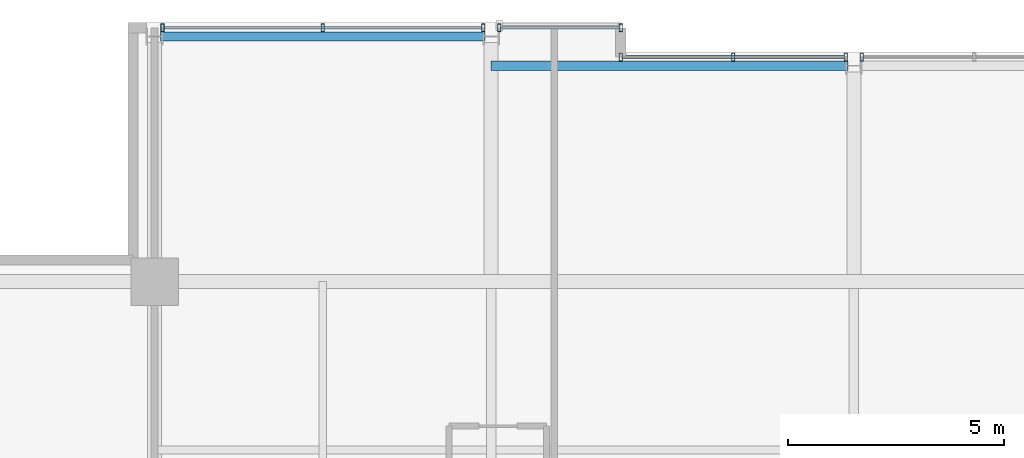
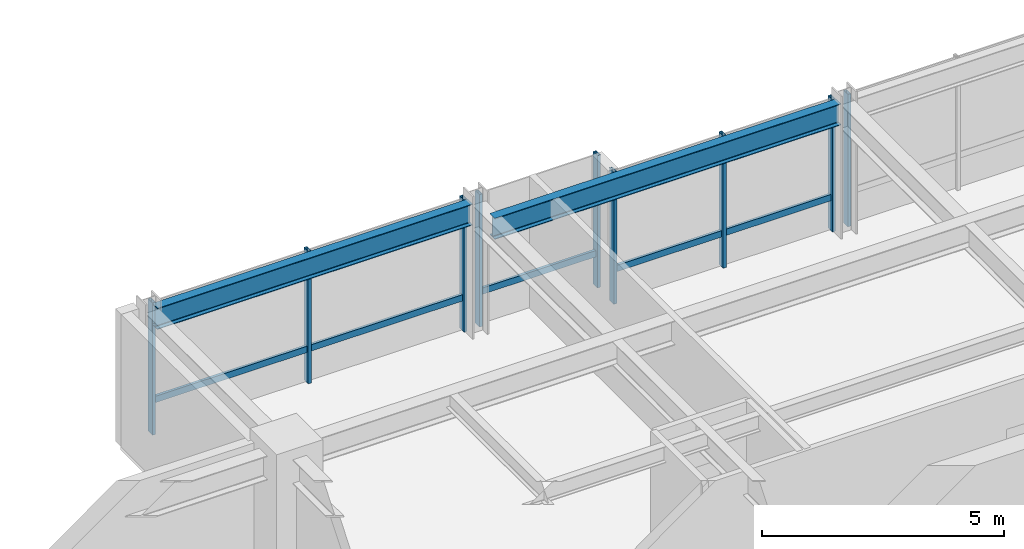
# One storey, part 20 of 31: 12 members, 2 beams, 4 elements without a shape of their own.
"""IFC4 building model written with IfcOpenShell, lengths in metres."""

from ifc_helpers import new_model, si_unit, direction, frame, origin, origin_2d, place, context, subcontext, project, spatial, hollow_rectangle, i_section, extrude, material, layer, layer_set, material_profile, profile_set, type_object, element, aggregate, save


model = new_model("IFC4")

# Units and contexts
model_context = context("Model", 3, precision=1e-05, world=origin(), true_north=direction((0.0, 1.0)))
body_context = subcontext(model_context, "Body", "Model", "MODEL_VIEW")
ifc_project = project(units=[si_unit("LENGTHUNIT", "METRE"), si_unit("AREAUNIT", "SQUARE_METRE"), si_unit("VOLUMEUNIT", "CUBIC_METRE"), si_unit("PLANEANGLEUNIT", "RADIAN"), si_unit("MASSUNIT", "GRAM", prefix="KILO")], contexts=[model_context])

# Site, building, storey
site_placement = place(None, origin())
site = spatial("IfcSite", under=ifc_project, at=site_placement, CompositionType="ELEMENT")
building_placement = place(site_placement, origin())
building = spatial("IfcBuilding", under=site, at=building_placement, Name="Drelvath Grand Hotel", CompositionType="ELEMENT")
storey_placement = place(building_placement, frame((0.0, 0.0, 230.300048828125)))
storey = spatial("IfcBuildingStorey", under=building, at=storey_placement, Name="L60", CompositionType="ELEMENT", Elevation=230.300048828125)

# Curtain wall, member
ifc_material_1 = material(Name="Platinum-Mist Anodised Aluminium Frame", Category="aluminium")
ifc_layer = layer(ifc_material_1, 0.199951171875)
ifc_layer_set = layer_set([ifc_layer], Name="Platinum-Mist Anodised Aluminium Frame")
curtain_wall_type = type_object("IfcCurtainWallType", Name="Stick Curtain Wall CW-05 Platinum Mist High-Rise", PredefinedType="NOTDEFINED", material=ifc_layer_set)
curtain_wall_1_placement = place(storey_placement, origin())
curtain_wall_1 = element("IfcCurtainWall", 1, at=curtain_wall_1_placement, inside=storey, type_object=curtain_wall_type, Name="L60 CW-05 Curtain Wall CW05-L60-NW2", PredefinedType="NOTDEFINED")
ifc_material_profile_1 = material_profile(ifc_material_1, hollow_rectangle(XDim=0.06494140625, YDim=0.159912109375, WallThickness=0.00390625, at=origin_2d()), Name="HSS160X65X4")
ifc_profile_set_1 = profile_set([ifc_material_profile_1], Name="Platinum-Mist Anodised Aluminium Frame")
member_type_1 = type_object("IfcMemberType", Name="Curtain Wall Horizontal Transom CW-05 HSS160X65X4", PredefinedType="USERDEFINED", material=ifc_profile_set_1)
member_1_placement = place(storey_placement, frame((-15.974609375, 49.080078125, 0.8349609375), z_axis=(1.0, 0.0, 0.0), x_axis=(0.0, 1.0, 0.0)))
member_1 = element("IfcMember", 2, at=member_1_placement, type_object=member_type_1, Name="CW05-L60-NW2 Sill Transom", ObjectType="TRANSOM", PredefinedType="USERDEFINED", context=body_context, shape_type="SweptSolid", body=[
    extrude(hollow_rectangle(XDim=0.06494140625, YDim=0.159912109375, WallThickness=0.00390625, at=origin_2d()), origin(), (0.0, 0.0, 1.0), 7.349365234375),
])

curtain_wall_2_placement = place(storey_placement, origin())
curtain_wall_2 = element("IfcCurtainWall", 3, at=curtain_wall_2_placement, inside=storey, type_object=curtain_wall_type, Name="L60 CW-05 Curtain Wall CW05-L60-NW3", PredefinedType="NOTDEFINED")
member_2_placement = place(storey_placement, frame((-8.1748046875, 49.080078125, 0.8349609375), z_axis=(1.0, 0.0, 0.0), x_axis=(0.0, 1.0, 0.0)))
member_2 = element("IfcMember", 4, at=member_2_placement, type_object=member_type_1, Name="CW05-L60-NW3 Sill Transom", ObjectType="TRANSOM", PredefinedType="USERDEFINED", context=body_context, shape_type="SweptSolid", body=[
    extrude(hollow_rectangle(XDim=0.06494140625, YDim=0.159912109375, WallThickness=0.00390625, at=origin_2d()), origin(), (0.0, 0.0, 1.0), 2.73486328125),
])

curtain_wall_3_placement = place(storey_placement, origin())
curtain_wall_3 = element("IfcCurtainWall", 5, at=curtain_wall_3_placement, inside=storey, type_object=curtain_wall_type, Name="L60 CW-05 Curtain Wall CW05-L60-NM1", PredefinedType="NOTDEFINED")
member_3_placement = place(storey_placement, frame((-5.360107421875, 48.39990234375, 0.8349609375), z_axis=(1.0, 0.0, 0.0), x_axis=(0.0, 1.0, 0.0)))
member_3 = element("IfcMember", 6, at=member_3_placement, type_object=member_type_1, Name="CW05-L60-NM1 Sill Transom", ObjectType="TRANSOM", PredefinedType="USERDEFINED", context=body_context, shape_type="SweptSolid", body=[
    extrude(hollow_rectangle(XDim=0.06494140625, YDim=0.159912109375, WallThickness=0.00390625, at=origin_2d()), origin(), (0.0, 0.0, 1.0), 5.134765625),
])

# Member
ifc_material_profile_2 = material_profile(ifc_material_1, hollow_rectangle(XDim=0.074951171875, YDim=0.179931640625, WallThickness=0.0048828125, at=origin_2d()), Name="HSS180X75X5")
ifc_profile_set_2 = profile_set([ifc_material_profile_2], Name="Platinum-Mist Anodised Aluminium Frame")
member_type_2 = type_object("IfcMemberType", Name="Curtain Wall Vertical Mullion CW-05 HSS180X75X5", PredefinedType="MULLION", material=ifc_profile_set_2)
member_4_placement = place(storey_placement, frame((-16.0146484375, 49.080078125, 0.0), z_axis=(0.0, 0.0, 1.0), x_axis=(1.0, 0.0, 0.0)))
member_4 = element("IfcMember", 7, at=member_4_placement, type_object=member_type_2, Name="CW05-L60-NW2 Mullion 1", PredefinedType="MULLION", context=body_context, shape_type="SweptSolid", body=[
    extrude(hollow_rectangle(XDim=0.074951171875, YDim=0.179931640625, WallThickness=0.0048828125, at=origin_2d()), origin(), (0.0, 0.0, 1.0), 3.33984375),
])

member_5_placement = place(storey_placement, frame((-12.300048828125, 49.080078125, 0.0), z_axis=(0.0, 0.0, 1.0), x_axis=(1.0, 0.0, 0.0)))
member_5 = element("IfcMember", 8, at=member_5_placement, type_object=member_type_2, Name="CW05-L60-NW2 Mullion 2", PredefinedType="MULLION", context=body_context, shape_type="SweptSolid", body=[
    extrude(hollow_rectangle(XDim=0.074951171875, YDim=0.179931640625, WallThickness=0.0048828125, at=origin_2d()), origin(), (0.0, 0.0, 1.0), 3.33984375),
])

member_6_placement = place(storey_placement, frame((-8.585205078125, 49.080078125, 0.0), z_axis=(0.0, 0.0, 1.0), x_axis=(1.0, 0.0, 0.0)))
member_6 = element("IfcMember", 9, at=member_6_placement, type_object=member_type_2, Name="CW05-L60-NW2 Mullion 3", PredefinedType="MULLION", context=body_context, shape_type="SweptSolid", body=[
    extrude(hollow_rectangle(XDim=0.074951171875, YDim=0.179931640625, WallThickness=0.0048828125, at=origin_2d()), origin(), (0.0, 0.0, 1.0), 3.33984375),
])

aggregate(curtain_wall_1, [member_4, member_5, member_6, member_1])

member_7_placement = place(storey_placement, frame((-8.214599609375, 49.080078125, 0.0), z_axis=(0.0, 0.0, 1.0), x_axis=(1.0, 0.0, 0.0)))
member_7 = element("IfcMember", 10, at=member_7_placement, type_object=member_type_2, Name="CW05-L60-NW3 Mullion 1", PredefinedType="MULLION", context=body_context, shape_type="SweptSolid", body=[
    extrude(hollow_rectangle(XDim=0.074951171875, YDim=0.179931640625, WallThickness=0.0048828125, at=origin_2d()), origin(), (0.0, 0.0, 1.0), 3.33984375),
])

member_8_placement = place(storey_placement, frame((-5.39990234375, 49.080078125, 0.0), z_axis=(0.0, 0.0, 1.0), x_axis=(1.0, 0.0, 0.0)))
member_8 = element("IfcMember", 11, at=member_8_placement, type_object=member_type_2, Name="CW05-L60-NW3 Mullion 2", PredefinedType="MULLION", context=body_context, shape_type="SweptSolid", body=[
    extrude(hollow_rectangle(XDim=0.074951171875, YDim=0.179931640625, WallThickness=0.0048828125, at=origin_2d()), origin(), (0.0, 0.0, 1.0), 3.33984375),
])

aggregate(curtain_wall_2, [member_7, member_8, member_2])

member_9_placement = place(storey_placement, frame((-5.39990234375, 48.39990234375, 0.0), z_axis=(0.0, 0.0, 1.0), x_axis=(1.0, 0.0, 0.0)))
member_9 = element("IfcMember", 12, at=member_9_placement, type_object=member_type_2, Name="CW05-L60-NM1 Mullion 1", PredefinedType="MULLION", context=body_context, shape_type="SweptSolid", body=[
    extrude(hollow_rectangle(XDim=0.074951171875, YDim=0.179931640625, WallThickness=0.0048828125, at=origin_2d()), origin(), (0.0, 0.0, 1.0), 3.33984375),
])

member_10_placement = place(storey_placement, frame((-2.792724609375, 48.39990234375, 0.0), z_axis=(0.0, 0.0, 1.0), x_axis=(1.0, 0.0, 0.0)))
member_10 = element("IfcMember", 13, at=member_10_placement, type_object=member_type_2, Name="CW05-L60-NM1 Mullion 2", PredefinedType="MULLION", context=body_context, shape_type="SweptSolid", body=[
    extrude(hollow_rectangle(XDim=0.074951171875, YDim=0.179931640625, WallThickness=0.0048828125, at=origin_2d()), origin(), (0.0, 0.0, 1.0), 3.33984375),
])

member_11_placement = place(storey_placement, frame((-0.185302734375, 48.39990234375, 0.0), z_axis=(0.0, 0.0, 1.0), x_axis=(1.0, 0.0, 0.0)))
member_11 = element("IfcMember", 14, at=member_11_placement, type_object=member_type_2, Name="CW05-L60-NM1 Mullion 3", PredefinedType="MULLION", context=body_context, shape_type="SweptSolid", body=[
    extrude(hollow_rectangle(XDim=0.074951171875, YDim=0.179931640625, WallThickness=0.0048828125, at=origin_2d()), origin(), (0.0, 0.0, 1.0), 3.33984375),
])

aggregate(curtain_wall_3, [member_9, member_10, member_11, member_3])

# Curtain wall, member
curtain_wall_4_placement = place(storey_placement, origin())
curtain_wall_4 = element("IfcCurtainWall", 15, at=curtain_wall_4_placement, inside=storey, type_object=curtain_wall_type, Name="L60 CW-05 Curtain Wall CW05-L60-NM2", PredefinedType="NOTDEFINED")
member_12_placement = place(storey_placement, frame((0.185302734375, 48.39990234375, 0.0), z_axis=(0.0, 0.0, 1.0), x_axis=(1.0, 0.0, 0.0)))
member_12 = element("IfcMember", 16, at=member_12_placement, type_object=member_type_2, Name="CW05-L60-NM2 Mullion 1", PredefinedType="MULLION", context=body_context, shape_type="SweptSolid", body=[
    extrude(hollow_rectangle(XDim=0.074951171875, YDim=0.179931640625, WallThickness=0.0048828125, at=origin_2d()), origin(), (0.0, 0.0, 1.0), 3.33984375),
])
aggregate(curtain_wall_4, [member_12])

# Beams
ifc_material_2 = material(Name="Steel ASTM A992 Gr 50", Category="steel")
ifc_material_profile_3 = material_profile(ifc_material_2, i_section(OverallWidth=0.210205078125, OverallDepth=0.53662109375, WebThickness=0.010986328125, FlangeThickness=0.017333984375, FilletRadius=0.01806640625, at=origin_2d()), Name="W21X68")
ifc_profile_set_3 = profile_set([ifc_material_profile_3], Name="Steel ASTM A992 Gr 50")
beam_type = type_object("IfcBeamType", Name="Perimeter Spandrel Beam W21X68", PredefinedType="SPANDREL", material=ifc_profile_set_3)
beam_1_placement = place(storey_placement, frame((-16.06005859375, 48.8798828125, 3.071533203125), z_axis=(1.0, 0.0, 0.0), x_axis=(0.0, 1.0, 0.0)))
element("IfcBeam", 17, at=beam_1_placement, inside=storey, type_object=beam_type, Name="L60 Spandrel North W", PredefinedType="SPANDREL", context=body_context, shape_type="SweptSolid", body=[
    extrude(i_section(OverallWidth=0.210205078125, OverallDepth=0.53662109375, WebThickness=0.010986328125, FlangeThickness=0.017333984375, FilletRadius=0.01806640625, at=origin_2d()), origin(), (0.0, 0.0, 1.0), 7.52001953125),
])
beam_2_placement = place(storey_placement, frame((-8.39990234375, 48.199951171875, 3.071533203125), z_axis=(1.0, 0.0, 0.0), x_axis=(0.0, 1.0, 0.0)))
element("IfcBeam", 18, at=beam_2_placement, inside=storey, type_object=beam_type, Name="L60 Spandrel North Mid W", PredefinedType="SPANDREL", context=body_context, shape_type="SweptSolid", body=[
    extrude(i_section(OverallWidth=0.210205078125, OverallDepth=0.53662109375, WebThickness=0.010986328125, FlangeThickness=0.017333984375, FilletRadius=0.01806640625, at=origin_2d()), origin(), (0.0, 0.0, 1.0), 8.260009765625),
])

save(model, "model.ifc")
